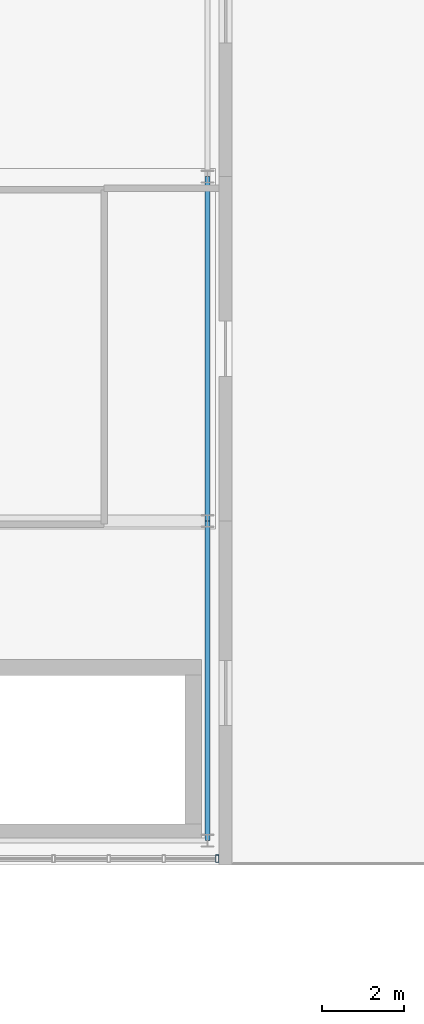
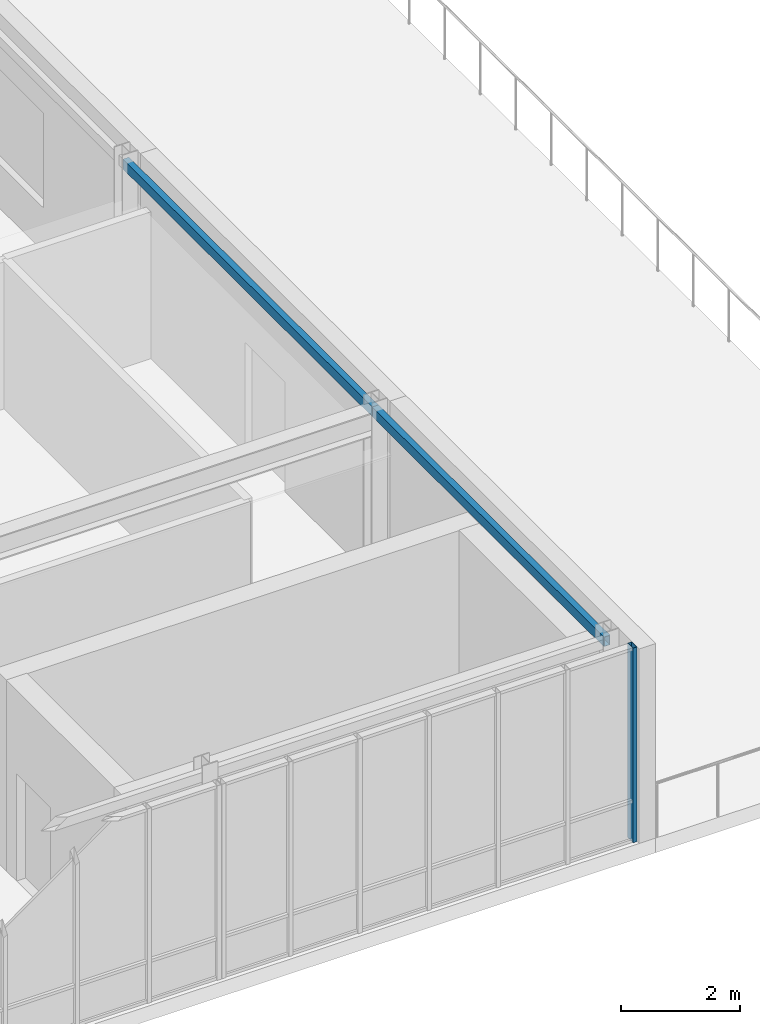
# One storey, part 78 of 127: 2 beams, 1 member, 1 element without a shape of its own.
"""IFC4 building model written with IfcOpenShell, lengths in metres."""

from ifc_helpers import new_model, si_unit, direction, frame, origin, origin_2d, place, context, subcontext, project, spatial, hollow_rectangle, extrude, material, layer, layer_set, material_profile, profile_set, type_object, element, aggregate, save


model = new_model("IFC4")

# Units and contexts
model_context = context("Model", 3, precision=1e-05, world=origin(), true_north=direction((0.0, 1.0)))
body_context = subcontext(model_context, "Body", "Model", "MODEL_VIEW")
ifc_project = project(units=[si_unit("LENGTHUNIT", "METRE"), si_unit("AREAUNIT", "SQUARE_METRE"), si_unit("VOLUMEUNIT", "CUBIC_METRE"), si_unit("PLANEANGLEUNIT", "RADIAN"), si_unit("MASSUNIT", "GRAM", prefix="KILO")], contexts=[model_context])

# Site, building, storey
site_placement = place(None, origin())
site = spatial("IfcSite", under=ifc_project, at=site_placement, CompositionType="ELEMENT")
building_placement = place(site_placement, origin())
building = spatial("IfcBuilding", under=site, at=building_placement, Name="Zayran Congress Hotel", CompositionType="ELEMENT")
storey_placement = place(building_placement, frame((0.0, 0.0, 10.800048828125)))
storey = spatial("IfcBuildingStorey", under=building, at=storey_placement, Name="L02", CompositionType="ELEMENT", Elevation=10.800048828125)

# Beams
ifc_material_1 = material(Name="Steel S355", Category="steel")
ifc_material_profile_1 = material_profile(ifc_material_1, hollow_rectangle(XDim=0.1201171875, YDim=0.199951171875, WallThickness=0.008056640625, at=origin_2d()), Name="RHS 200x120x8")
ifc_profile_set_1 = profile_set([ifc_material_profile_1], Name="Steel S355")
beam_type = type_object("IfcBeamType", Name="TP-SP-02", PredefinedType="SPANDREL", material=ifc_profile_set_1)
beam_1_placement = place(storey_placement, frame((184.199951171875, 9.39990234375, 3.89990234375), z_axis=(0.0, 1.0, 0.0), x_axis=(-1.0, 0.0, 0.0)))
element("IfcBeam", 1, at=beam_1_placement, inside=storey, type_object=beam_type, Name="BM-V3-L02-1203", PredefinedType="SPANDREL", context=body_context, shape_type="SweptSolid", body=[
    extrude(hollow_rectangle(XDim=0.1201171875, YDim=0.199951171875, WallThickness=0.008056640625, at=origin_2d()), origin(), (0.0, 0.0, 1.0), 7.800048828125),
])
beam_2_placement = place(storey_placement, frame((184.199951171875, 17.199951171875, 3.89990234375), z_axis=(0.0, 1.0, 0.0), x_axis=(-1.0, 0.0, 0.0)))
element("IfcBeam", 2, at=beam_2_placement, inside=storey, type_object=beam_type, Name="BM-V3-L02-1204", PredefinedType="SPANDREL", context=body_context, shape_type="SweptSolid", body=[
    extrude(hollow_rectangle(XDim=0.1201171875, YDim=0.199951171875, WallThickness=0.008056640625, at=origin_2d()), origin(), (0.0, 0.0, 1.0), 8.400146484375),
])

# Curtain wall, member
ifc_material_2 = material(Name="Anodised aluminium and low-E insulated glass", Category="aluminium")
ifc_layer = layer(ifc_material_2, 0.179931640625)
ifc_layer_set = layer_set([ifc_layer], Name="Anodised aluminium and low-E insulated glass")
curtain_wall_type = type_object("IfcCurtainWallType", Name="CW-V3S-L02-CW-V32-8075-4000", PredefinedType="USERDEFINED", material=ifc_layer_set)
curtain_wall_placement = place(storey_placement, origin())
curtain_wall = element("IfcCurtainWall", 3, at=curtain_wall_placement, inside=storey, type_object=curtain_wall_type, Name="CW-V3S-L02-3", ObjectType="CURTAIN WALL", PredefinedType="USERDEFINED")
ifc_material_3 = material(Name="Anodised aluminium framing", Category="aluminium")
ifc_material_profile_2 = material_profile(ifc_material_3, hollow_rectangle(XDim=0.080078125, YDim=0.179931640625, WallThickness=0.0048828125, at=origin_2d()), Name="RHS 180x80x5")
ifc_profile_set_2 = profile_set([ifc_material_profile_2], Name="Anodised aluminium framing")
member_type = type_object("IfcMemberType", Name="TP-CWM-01", PredefinedType="MULLION", material=ifc_profile_set_2)
member_placement = place(storey_placement, frame((184.43994140625, 8.9599609375, 0.0), z_axis=(0.0, 0.0, 1.0), x_axis=(1.0, 0.0, 0.0)))
member = element("IfcMember", 4, at=member_placement, type_object=member_type, Name="CW-V3S-L02-3-M06", PredefinedType="MULLION", context=body_context, shape_type="SweptSolid", body=[
    extrude(hollow_rectangle(XDim=0.080078125, YDim=0.179931640625, WallThickness=0.0048828125, at=origin_2d()), origin(), (0.0, 0.0, 1.0), 4.0),
])
aggregate(curtain_wall, [member])

save(model, "model.ifc")
